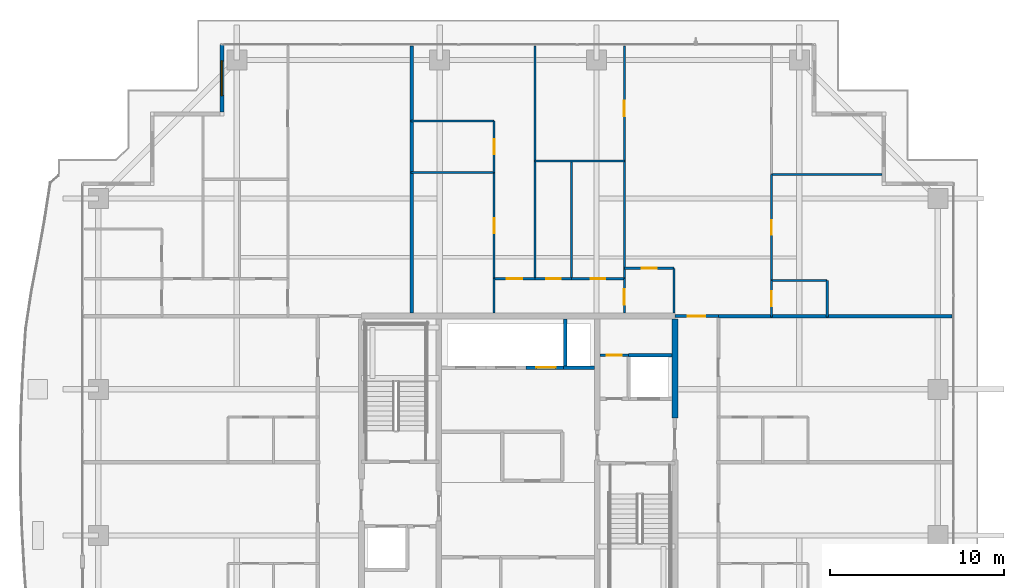
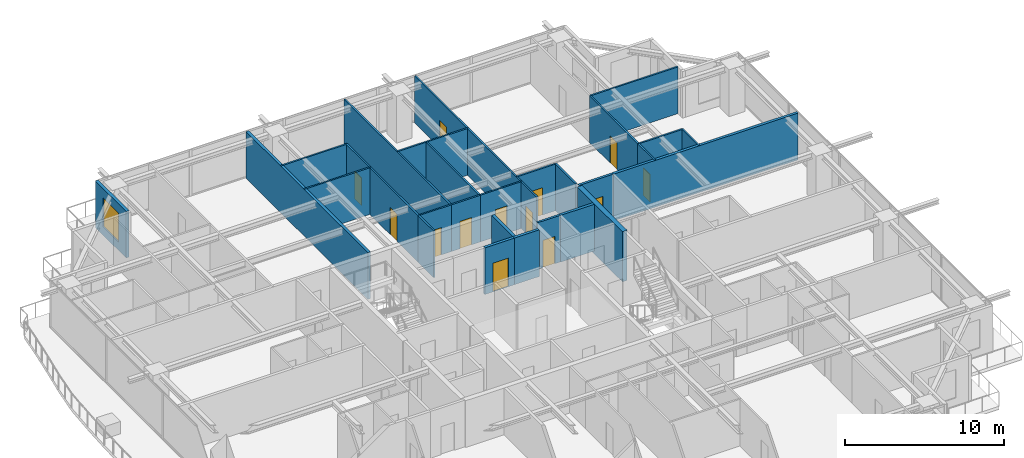
# One storey, part 28 of 38: 31 walls, 13 doors, 1 window, 14 openings.
"""IFC4 building model written with IfcOpenShell, lengths in metres."""

from ifc_helpers import new_model, si_unit, direction, frame, frame_2d, origin, place, context, subcontext, project, spatial, rectangle, extrude, source, transform, mapped, material, layer, layer_set, type_object, element, fill, save


model = new_model("IFC4")

# Units and contexts
model_context = context("Model", 3, precision=1e-05, world=origin(), true_north=direction((0.0, 1.0)))
body_context = subcontext(model_context, "Body", "Model", "MODEL_VIEW")
ifc_project = project(units=[si_unit("LENGTHUNIT", "METRE"), si_unit("AREAUNIT", "SQUARE_METRE"), si_unit("VOLUMEUNIT", "CUBIC_METRE"), si_unit("PLANEANGLEUNIT", "RADIAN"), si_unit("MASSUNIT", "GRAM", prefix="KILO")], contexts=[model_context])

# Site, building, storey
site_placement = place(None, origin())
site = spatial("IfcSite", under=ifc_project, at=site_placement, CompositionType="ELEMENT")
building_placement = place(site_placement, origin())
building = spatial("IfcBuilding", under=site, at=building_placement, Name="Serunith Strait Residences", CompositionType="ELEMENT")
storey_placement = place(building_placement, frame((0.0, 0.0, 241.25)))
storey = spatial("IfcBuildingStorey", under=building, at=storey_placement, Name="L60", CompositionType="ELEMENT", Elevation=241.25)

# Wall, opening, window
ifc_material_1 = material(Name="Pale-Champagne Aluminium Insulated Panel", Category="aluminium")
ifc_layer_1 = layer(ifc_material_1, 0.219970703125, Name="Pale-Champagne Aluminium Insulated Panel")
ifc_layer_set_1 = layer_set([ifc_layer_1], Name="Pale-Champagne Aluminium Insulated Panel")
wall_type_1 = type_object("IfcWallType", Name="EW-ALUM-220", PredefinedType="ELEMENTEDWALL", material=ifc_layer_set_1)
wall_1_placement = place(storey_placement, frame((15.39990234375, 49.199951171875, 0.0), z_axis=(0.0, 0.0, 1.0), x_axis=(0.0, -1.0, 0.0)))
wall_1 = element("IfcWall", 1, at=wall_1_placement, inside=storey, type_object=wall_type_1, Name="L60 Girih Serrated Corner Wall 12", PredefinedType="ELEMENTEDWALL", context=body_context, shape_type="SweptSolid", body=[
    extrude(rectangle(XDim=3.889892578125, YDim=0.219970703125, at=frame_2d((1.94482421875, 0.0))), origin(), (0.0, 0.0, 1.0), 3.574951171875),
])
opening_1_placement = place(wall_1_placement, frame((0.945068359375, 0.0, 0.64990234375)))
opening_1 = element("IfcOpeningElement", 2, at=opening_1_placement, cuts=wall_1, Name="Opening W-04", PredefinedType="OPENING", context=body_context, shape_type="SweptSolid", body=[
    extrude(rectangle(XDim=2.0, YDim=2.199951171875, at=frame_2d((1.0, 1.10009765625))), frame((0.0, 0.1201171875, 0.0), z_axis=(0.0, -1.0, 0.0), x_axis=(1.0, 0.0, 0.0)), (0.0, 0.0, 1.0), 0.239990234375),
])
ifc_material_2 = material(Name="Ceramic-Fritted Operable Aluminium Window Glass", Category="aluminium")
window_type = type_object("IfcWindowType", Name="WIN-C4", PartitioningType="TRIPLE_PANEL_VERTICAL", PredefinedType="WINDOW", material=ifc_material_2)
shared_shape_1 = source(origin(), body_context, "Body", "SweptSolid", [
    extrude(rectangle(XDim=2.0, YDim=2.199951171875, at=frame_2d((1.0, 1.10009765625))), frame((0.0, 0.030029296875, 0.0), z_axis=(0.0, -1.0, 0.0), x_axis=(1.0, 0.0, 0.0)), (0.0, 0.0, 1.0), 0.06005859375),
])
window_placement = place(opening_1_placement, origin())
window = element("IfcWindow", 3, at=window_placement, inside=storey, type_object=window_type, Name="L60 Corner Operable Fritted Window 12", OverallHeight=2.199951171875, OverallWidth=2.0, PartitioningType="SINGLE_PANEL", PredefinedType="WINDOW", context=body_context, shape_type="MappedRepresentation", body=[
    mapped(shared_shape_1, transform((0.0, 0.0, 0.0), scale=1.0)),
])
fill(opening_1, window)

# Wall, opening, door
ifc_material_3 = material(Name="Fire-rated masonry service closet wall", Category="masonry")
ifc_layer_2 = layer(ifc_material_3, 0.14990234375, Name="Fire-rated masonry service closet wall")
ifc_layer_set_2 = layer_set([ifc_layer_2], Name="Fire-rated masonry service closet wall")
wall_type_2 = type_object("IfcWallType", Name="IW-BOH-150", PredefinedType="PARTITIONING", material=ifc_layer_set_2)
wall_2_placement = place(storey_placement, frame((37.10009765625, 31.35009765625, 0.0), z_axis=(0.0, 0.0, 1.0), x_axis=(1.0, 0.0, 0.0)))
wall_2 = element("IfcWall", 4, at=wall_2_placement, inside=storey, type_object=wall_type_2, Name="L60 Partition Wall 011", PredefinedType="PARTITIONING", context=body_context, shape_type="SweptSolid", body=[
    extrude(rectangle(XDim=1.64794921875, YDim=0.14990234375, at=frame_2d((0.823974609375, 0.0))), origin(), (0.0, 0.0, 1.0), 3.590087890625),
])
opening_2_placement = place(wall_2_placement, frame((0.39892578125, 0.0, 0.0)))
opening_2 = element("IfcOpeningElement", 5, at=opening_2_placement, cuts=wall_2, Name="Opening FD-850", PredefinedType="OPENING", context=body_context, shape_type="SweptSolid", body=[
    extrude(rectangle(XDim=0.85009765625, YDim=2.10009765625, at=frame_2d((0.425048828125, 1.050048828125))), frame((0.0, 0.0849609375, 0.0), z_axis=(0.0, -1.0, 0.0), x_axis=(1.0, 0.0, 0.0)), (0.0, 0.0, 1.0), 0.169921875),
])
ifc_material_4 = material(Name="Powder-coated steel service closet door", Category="steel")
door_type_1 = type_object("IfcDoorType", Name="FD-BOH-850", OperationType="NOTDEFINED", PredefinedType="DOOR", material=ifc_material_4)
shared_shape_2 = source(origin(), body_context, "Body", "SweptSolid", [
    extrude(rectangle(XDim=0.85009765625, YDim=2.10009765625, at=frame_2d((0.425048828125, 1.050048828125))), frame((0.0, 0.02490234375, 0.0), z_axis=(0.0, -1.0, 0.0), x_axis=(1.0, 0.0, 0.0)), (0.0, 0.0, 1.0), 0.050048828125),
])
door_1_placement = place(opening_2_placement, origin())
door_1 = element("IfcDoor", 6, at=door_1_placement, inside=storey, type_object=door_type_1, Name="L60 Spare Parts Store Door", OperationType="SINGLE_SWING_LEFT", OverallHeight=2.10009765625, OverallWidth=0.85009765625, PredefinedType="DOOR", context=body_context, shape_type="MappedRepresentation", body=[
    mapped(shared_shape_2, transform((0.0, 0.0, 0.0), scale=1.0)),
])
fill(opening_2, door_1)

ifc_material_5 = material(Name="Fire-rated acoustic gypsum partition")
ifc_layer_3 = layer(ifc_material_5, 0.179931640625, Name="Fire-rated acoustic gypsum partition")
ifc_layer_set_3 = layer_set([ifc_layer_3], Name="Fire-rated acoustic gypsum partition")
wall_type_3 = type_object("IfcWallType", Name="IW-CORR-180", PredefinedType="PARTITIONING", material=ifc_layer_set_3)
wall_3_placement = place(storey_placement, frame((41.402099609375, 33.60009765625, 0.0), z_axis=(0.0, 0.0, 1.0), x_axis=(1.0, 0.0, 0.0)))
wall_3 = element("IfcWall", 7, at=wall_3_placement, inside=storey, type_object=wall_type_3, Name="L60 Partition Wall 031", PredefinedType="PARTITIONING", context=body_context, shape_type="SweptSolid", body=[
    extrude(rectangle(XDim=2.495849609375, YDim=0.179931640625, at=frame_2d((1.248046875, 0.0))), origin(), (0.0, 0.0, 1.0), 3.590087890625),
])
opening_3_placement = place(wall_3_placement, frame((0.748046875, 0.0, 0.0)))
opening_3 = element("IfcOpeningElement", 8, at=opening_3_placement, cuts=wall_3, Name="Opening D-APT1000", PredefinedType="OPENING", context=body_context, shape_type="SweptSolid", body=[
    extrude(rectangle(XDim=1.0, YDim=2.14990234375, at=frame_2d((0.5, 1.074951171875))), frame((0.0, 0.10009765625, 0.0), z_axis=(0.0, -1.0, 0.0), x_axis=(1.0, 0.0, 0.0)), (0.0, 0.0, 1.0), 0.199951171875),
])
ifc_material_6 = material(Name="Solid timber engineered fire door", Category="wood")
door_type_2 = type_object("IfcDoorType", Name="ID-APT-1000", OperationType="NOTDEFINED", PredefinedType="DOOR", material=ifc_material_6)
shared_shape_3 = source(origin(), body_context, "Body", "SweptSolid", [
    extrude(rectangle(XDim=1.0, YDim=2.14990234375, at=frame_2d((0.5, 1.074951171875))), frame((0.0, 0.02490234375, 0.0), z_axis=(0.0, -1.0, 0.0), x_axis=(1.0, 0.0, 0.0)), (0.0, 0.0, 1.0), 0.050048828125),
])
door_2_placement = place(opening_3_placement, origin())
door_2 = element("IfcDoor", 9, at=door_2_placement, inside=storey, type_object=door_type_2, Name="L60 Unit 04 Entrance Door", OperationType="SINGLE_SWING_RIGHT", OverallHeight=2.14990234375, OverallWidth=1.0, PredefinedType="DOOR", context=body_context, shape_type="MappedRepresentation", body=[
    mapped(shared_shape_3, transform((0.0, 0.0, 0.0), scale=1.0)),
])
fill(opening_3, door_2)

ifc_material_7 = material(Name="Lightweight steel-stud gypsum partition", Category="steel")
ifc_layer_4 = layer(ifc_material_7, 0.1201171875, Name="Lightweight steel-stud gypsum partition")
ifc_layer_set_4 = layer_set([ifc_layer_4], Name="Lightweight steel-stud gypsum partition")
wall_type_4 = type_object("IfcWallType", Name="IW-PART-120", PredefinedType="PARTITIONING", material=ifc_layer_set_4)
wall_4_placement = place(storey_placement, frame((38.5, 36.35009765625, 0.0), z_axis=(0.0, 0.0, 1.0), x_axis=(1.0, 0.0, 0.0)))
wall_4 = element("IfcWall", 10, at=wall_4_placement, inside=storey, type_object=wall_type_4, Name="L60 Partition Wall 081", PredefinedType="PARTITIONING", context=body_context, shape_type="SweptSolid", body=[
    extrude(rectangle(XDim=2.85009765625, YDim=0.1201171875, at=frame_2d((1.425048828125, 0.0))), origin(), (0.0, 0.0, 1.0), 3.590087890625),
])
opening_4_placement = place(wall_4_placement, frame((1.0, 0.0, 0.0)))
opening_4 = element("IfcOpeningElement", 11, at=opening_4_placement, cuts=wall_4, Name="Opening D-RM850", PredefinedType="OPENING", context=body_context, shape_type="SweptSolid", body=[
    extrude(rectangle(XDim=0.85009765625, YDim=2.10009765625, at=frame_2d((0.425048828125, 1.050048828125))), frame((0.0, 0.070068359375, 0.0), z_axis=(0.0, -1.0, 0.0), x_axis=(1.0, 0.0, 0.0)), (0.0, 0.0, 1.0), 0.14013671875),
])
ifc_material_8 = material(Name="Engineered timber flush study and kitchen door", Category="wood")
door_type_3 = type_object("IfcDoorType", Name="ID-ROOM-850", OperationType="NOTDEFINED", PredefinedType="DOOR", material=ifc_material_8)
door_3_placement = place(opening_4_placement, origin())
door_3 = element("IfcDoor", 12, at=door_3_placement, inside=storey, type_object=door_type_3, Name="L60 Kitchen 6004 Door", OperationType="SINGLE_SWING_RIGHT", OverallHeight=2.10009765625, OverallWidth=0.85009765625, PredefinedType="DOOR", context=body_context, shape_type="MappedRepresentation", body=[
    mapped(shared_shape_2, transform((0.0, 0.0, 0.0), scale=1.0)),
])
fill(opening_4, door_3)

# Wall
wall_5_placement = place(storey_placement, frame((41.35009765625, 36.35009765625, 0.0), z_axis=(0.0, 0.0, 1.0), x_axis=(0.0, -1.0, 0.0)))
element("IfcWall", 13, at=wall_5_placement, inside=storey, type_object=wall_type_4, Name="L60 Partition Wall 082", PredefinedType="PARTITIONING", context=body_context, shape_type="SweptSolid", body=[
    extrude(rectangle(XDim=2.5751953125, YDim=0.1201171875, at=frame_2d((1.28759765625, 0.0))), origin(), (0.0, 0.0, 1.0), 3.590087890625),
])

# Wall, opening, door
wall_6_placement = place(storey_placement, frame((38.5, 35.75, 0.0), z_axis=(0.0, 0.0, 1.0), x_axis=(0.0, -1.0, 0.0)))
wall_6 = element("IfcWall", 14, at=wall_6_placement, inside=storey, type_object=wall_type_4, Name="L60 Partition Wall 083", PredefinedType="PARTITIONING", context=body_context, shape_type="SweptSolid", body=[
    extrude(rectangle(XDim=1.97509765625, YDim=0.1201171875, at=frame_2d((0.987548828125, 0.0))), origin(), (0.0, 0.0, 1.0), 3.590087890625),
])
opening_5_placement = place(wall_6_placement, frame((0.60107421875, 0.0, 0.0)))
opening_5 = element("IfcOpeningElement", 15, at=opening_5_placement, cuts=wall_6, Name="Opening D-RM900", PredefinedType="OPENING", context=body_context, shape_type="SweptSolid", body=[
    extrude(rectangle(XDim=0.89990234375, YDim=2.10009765625, at=frame_2d((0.449951171875, 1.050048828125))), frame((0.0, 0.070068359375, 0.0), z_axis=(0.0, -1.0, 0.0), x_axis=(1.0, 0.0, 0.0)), (0.0, 0.0, 1.0), 0.14013671875),
])
ifc_material_9 = material(Name="Engineered timber flush bedroom door", Category="wood")
door_type_4 = type_object("IfcDoorType", Name="ID-ROOM-900", OperationType="NOTDEFINED", PredefinedType="DOOR", material=ifc_material_9)
shared_shape_4 = source(origin(), body_context, "Body", "SweptSolid", [
    extrude(rectangle(XDim=0.89990234375, YDim=2.10009765625, at=frame_2d((0.449951171875, 1.050048828125))), frame((0.0, 0.02490234375, 0.0), z_axis=(0.0, -1.0, 0.0), x_axis=(1.0, 0.0, 0.0)), (0.0, 0.0, 1.0), 0.050048828125),
])
door_4_placement = place(opening_5_placement, origin())
door_4 = element("IfcDoor", 16, at=door_4_placement, inside=storey, type_object=door_type_4, Name="L60 Hall W 6004 Door", OperationType="SINGLE_SWING_LEFT", OverallHeight=2.10009765625, OverallWidth=0.89990234375, PredefinedType="DOOR", context=body_context, shape_type="MappedRepresentation", body=[
    mapped(shared_shape_4, transform((0.0, 0.0, 0.0), scale=1.0)),
])
fill(opening_5, door_4)

wall_7_placement = place(storey_placement, frame((38.5, 49.10498046875, 0.0), z_axis=(0.0, 0.0, 1.0), x_axis=(0.0, -1.0, 0.0)))
wall_7 = element("IfcWall", 17, at=wall_7_placement, inside=storey, type_object=wall_type_4, Name="L60 Partition Wall 084", PredefinedType="PARTITIONING", context=body_context, shape_type="SweptSolid", body=[
    extrude(rectangle(XDim=6.60400390625, YDim=0.1201171875, at=frame_2d((3.302001953125, 0.0))), origin(), (0.0, 0.0, 1.0), 3.590087890625),
])
opening_6_placement = place(wall_7_placement, frame((3.136962890625, 0.0, 0.0)))
opening_6 = element("IfcOpeningElement", 18, at=opening_6_placement, cuts=wall_7, Name="Opening D-RM900", PredefinedType="OPENING", context=body_context, shape_type="SweptSolid", body=[
    extrude(rectangle(XDim=0.89990234375, YDim=2.10009765625, at=frame_2d((0.449951171875, 1.050048828125))), frame((0.0, 0.070068359375, 0.0), z_axis=(0.0, -1.0, 0.0), x_axis=(1.0, 0.0, 0.0)), (0.0, 0.0, 1.0), 0.14013671875),
])
door_5_placement = place(opening_6_placement, origin())
door_5 = element("IfcDoor", 19, at=door_5_placement, inside=storey, type_object=door_type_4, Name="L60 Formal Dining Room 1 6004 Door", OperationType="SINGLE_SWING_RIGHT", OverallHeight=2.10009765625, OverallWidth=0.89990234375, PredefinedType="DOOR", context=body_context, shape_type="MappedRepresentation", body=[
    mapped(shared_shape_4, transform((0.0, 0.0, 0.0), scale=1.0)),
])
fill(opening_6, door_5)

# Walls
wall_8_placement = place(storey_placement, frame((38.5, 42.4990234375, 0.0), z_axis=(0.0, 0.0, 1.0), x_axis=(0.0, -1.0, 0.0)))
element("IfcWall", 20, at=wall_8_placement, inside=storey, type_object=wall_type_4, Name="L60 Partition Wall 085", PredefinedType="PARTITIONING", context=body_context, shape_type="SweptSolid", body=[
    extrude(rectangle(XDim=6.7470703125, YDim=0.1201171875, at=frame_2d((3.37353515625, 0.0))), origin(), (0.0, 0.0, 1.0), 3.590087890625),
])
wall_9_placement = place(storey_placement, frame((33.3798828125, 42.5009765625, 0.0), z_axis=(0.0, 0.0, 1.0), x_axis=(1.0, 0.0, 0.0)))
element("IfcWall", 21, at=wall_9_placement, inside=storey, type_object=wall_type_4, Name="L60 Partition Wall 086", PredefinedType="PARTITIONING", context=body_context, shape_type="SweptSolid", body=[
    extrude(rectangle(XDim=5.1201171875, YDim=0.1201171875, at=frame_2d((2.56005859375, 0.0))), origin(), (0.0, 0.0, 1.0), 3.590087890625),
])
wall_10_placement = place(storey_placement, frame((33.3798828125, 49.10498046875, 0.0), z_axis=(0.0, 0.0, 1.0), x_axis=(0.0, -1.0, 0.0)))
element("IfcWall", 22, at=wall_10_placement, inside=storey, type_object=wall_type_4, Name="L60 Partition Wall 087", PredefinedType="PARTITIONING", context=body_context, shape_type="SweptSolid", body=[
    extrude(rectangle(XDim=13.35498046875, YDim=0.1201171875, at=frame_2d((6.677490234375, 0.0))), origin(), (0.0, 0.0, 1.0), 3.590087890625),
])
wall_11_placement = place(storey_placement, frame((35.47998046875, 42.5009765625, 0.0), z_axis=(0.0, 0.0, 1.0), x_axis=(0.0, -1.0, 0.0)))
element("IfcWall", 23, at=wall_11_placement, inside=storey, type_object=wall_type_4, Name="L60 Partition Wall 088", PredefinedType="PARTITIONING", context=body_context, shape_type="SweptSolid", body=[
    extrude(rectangle(XDim=6.7509765625, YDim=0.1201171875, at=frame_2d((3.37548828125, 0.0))), origin(), (0.0, 0.0, 1.0), 3.590087890625),
])

# Wall, opening, door
wall_12_placement = place(storey_placement, frame((33.3798828125, 35.75, 0.0), z_axis=(0.0, 0.0, 1.0), x_axis=(1.0, 0.0, 0.0)))
wall_12 = element("IfcWall", 24, at=wall_12_placement, inside=storey, type_object=wall_type_4, Name="L60 Partition Wall 089", PredefinedType="PARTITIONING", context=body_context, shape_type="SweptSolid", body=[
    extrude(rectangle(XDim=2.10009765625, YDim=0.1201171875, at=frame_2d((1.050048828125, 0.0))), origin(), (0.0, 0.0, 1.0), 3.590087890625),
])
opening_7_placement = place(wall_12_placement, frame((0.625, 0.0, 0.0)))
opening_7 = element("IfcOpeningElement", 25, at=opening_7_placement, cuts=wall_12, Name="Opening D-BTH850", PredefinedType="OPENING", context=body_context, shape_type="SweptSolid", body=[
    extrude(rectangle(XDim=0.85009765625, YDim=2.10009765625, at=frame_2d((0.425048828125, 1.050048828125))), frame((0.0, 0.070068359375, 0.0), z_axis=(0.0, -1.0, 0.0), x_axis=(1.0, 0.0, 0.0)), (0.0, 0.0, 1.0), 0.14013671875),
])
ifc_material_10 = material(Name="Moisture-resistant timber bathroom door", Category="wood")
door_type_5 = type_object("IfcDoorType", Name="ID-BATH-850", OperationType="NOTDEFINED", PredefinedType="DOOR", material=ifc_material_10)
door_6_placement = place(opening_7_placement, origin())
door_6 = element("IfcDoor", 26, at=door_6_placement, inside=storey, type_object=door_type_5, Name="L60 Bathroom 6004 Door", OperationType="SINGLE_SWING_LEFT", OverallHeight=2.10009765625, OverallWidth=0.85009765625, PredefinedType="DOOR", context=body_context, shape_type="MappedRepresentation", body=[
    mapped(shared_shape_2, transform((0.0, 0.0, 0.0), scale=1.0)),
])
fill(opening_7, door_6)

wall_13_placement = place(storey_placement, frame((35.48193359375, 35.75, 0.0), z_axis=(0.0, 0.0, 1.0), x_axis=(1.0, 0.0, 0.0)))
wall_13 = element("IfcWall", 27, at=wall_13_placement, inside=storey, type_object=wall_type_4, Name="L60 Partition Wall 090", PredefinedType="PARTITIONING", context=body_context, shape_type="SweptSolid", body=[
    extrude(rectangle(XDim=3.01806640625, YDim=0.1201171875, at=frame_2d((1.509033203125, 0.0))), origin(), (0.0, 0.0, 1.0), 3.590087890625),
])
opening_8_placement = place(wall_13_placement, frame((1.083984375, 0.0, 0.0)))
opening_8 = element("IfcOpeningElement", 28, at=opening_8_placement, cuts=wall_13, Name="Opening D-RM850", PredefinedType="OPENING", context=body_context, shape_type="SweptSolid", body=[
    extrude(rectangle(XDim=0.85009765625, YDim=2.10009765625, at=frame_2d((0.425048828125, 1.050048828125))), frame((0.0, 0.070068359375, 0.0), z_axis=(0.0, -1.0, 0.0), x_axis=(1.0, 0.0, 0.0)), (0.0, 0.0, 1.0), 0.14013671875),
])
door_7_placement = place(opening_8_placement, origin())
door_7 = element("IfcDoor", 29, at=door_7_placement, inside=storey, type_object=door_type_3, Name="L60 Formal Dining Room 6004 Door", OperationType="SINGLE_SWING_RIGHT", OverallHeight=2.10009765625, OverallWidth=0.85009765625, PredefinedType="DOOR", context=body_context, shape_type="MappedRepresentation", body=[
    mapped(shared_shape_2, transform((0.0, 0.0, 0.0), scale=1.0)),
])
fill(opening_8, door_7)

wall_14_placement = place(storey_placement, frame((31.030029296875, 35.75, 0.0), z_axis=(0.0, 0.0, 1.0), x_axis=(1.0, 0.0, 0.0)))
wall_14 = element("IfcWall", 30, at=wall_14_placement, inside=storey, type_object=wall_type_4, Name="L60 Partition Wall 091", PredefinedType="PARTITIONING", context=body_context, shape_type="SweptSolid", body=[
    extrude(rectangle(XDim=2.347900390625, YDim=0.1201171875, at=frame_2d((1.173828125, 0.0))), origin(), (0.0, 0.0, 1.0), 3.590087890625),
])
opening_9_placement = place(wall_14_placement, frame((0.72412109375, 0.0, 0.0)))
opening_9 = element("IfcOpeningElement", 31, at=opening_9_placement, cuts=wall_14, Name="Opening D-RM900", PredefinedType="OPENING", context=body_context, shape_type="SweptSolid", body=[
    extrude(rectangle(XDim=0.89990234375, YDim=2.10009765625, at=frame_2d((0.449951171875, 1.050048828125))), frame((0.0, 0.070068359375, 0.0), z_axis=(0.0, -1.0, 0.0), x_axis=(1.0, 0.0, 0.0)), (0.0, 0.0, 1.0), 0.14013671875),
])
door_8_placement = place(opening_9_placement, origin())
door_8 = element("IfcDoor", 32, at=door_8_placement, inside=storey, type_object=door_type_4, Name="L60 Master Bedroom W 6004 Door", OperationType="SINGLE_SWING_LEFT", OverallHeight=2.10009765625, OverallWidth=0.89990234375, PredefinedType="DOOR", context=body_context, shape_type="MappedRepresentation", body=[
    mapped(shared_shape_4, transform((0.0, 0.0, 0.0), scale=1.0)),
])
fill(opening_9, door_8)

# Walls
for number, where, z_axis, x_axis, name in (
    (33, (26.239990234375, 44.804931640625, 0.0), (0.0, 0.0, 1.0), (1.0, 0.0, 0.0), "L60 Partition Wall 092"),
    (34, (26.239990234375, 41.844970703125, 0.0), (0.0, 0.0, 1.0), (1.0, 0.0, 0.0), "L60 Partition Wall 093"),
):
    element("IfcWall", number, at=place(storey_placement, frame(where, z_axis=z_axis, x_axis=x_axis)), inside=storey, type_object=wall_type_4, Name=name, PredefinedType="PARTITIONING", context=body_context, shape_type="SweptSolid", body=[
        extrude(rectangle(XDim=4.7900390625, YDim=0.1201171875, at=frame_2d((2.39501953125, 0.0))), origin(), (0.0, 0.0, 1.0), 3.590087890625),
    ])

# Wall, opening, door
wall_15_placement = place(storey_placement, frame((31.030029296875, 44.804931640625, 0.0), z_axis=(0.0, 0.0, 1.0), x_axis=(0.0, -1.0, 0.0)))
wall_15 = element("IfcWall", 35, at=wall_15_placement, inside=storey, type_object=wall_type_4, Name="L60 Partition Wall 094", PredefinedType="PARTITIONING", context=body_context, shape_type="SweptSolid", body=[
    extrude(rectangle(XDim=2.9599609375, YDim=0.1201171875, at=frame_2d((1.47998046875, 0.0))), origin(), (0.0, 0.0, 1.0), 3.590087890625),
])
opening_10_placement = place(wall_15_placement, frame((1.054931640625, 0.0, 0.0)))
opening_10 = element("IfcOpeningElement", 36, at=opening_10_placement, cuts=wall_15, Name="Opening D-BTH850", PredefinedType="OPENING", context=body_context, shape_type="SweptSolid", body=[
    extrude(rectangle(XDim=0.85009765625, YDim=2.10009765625, at=frame_2d((0.425048828125, 1.050048828125))), frame((0.0, 0.070068359375, 0.0), z_axis=(0.0, -1.0, 0.0), x_axis=(1.0, 0.0, 0.0)), (0.0, 0.0, 1.0), 0.14013671875),
])
door_9_placement = place(opening_10_placement, origin())
door_9 = element("IfcDoor", 37, at=door_9_placement, inside=storey, type_object=door_type_5, Name="L60 En-suite Bathroom W 6004 Door", OperationType="SINGLE_SWING_RIGHT", OverallHeight=2.10009765625, OverallWidth=0.85009765625, PredefinedType="DOOR", context=body_context, shape_type="MappedRepresentation", body=[
    mapped(shared_shape_2, transform((0.0, 0.0, 0.0), scale=1.0)),
])
fill(opening_10, door_9)

wall_16_placement = place(storey_placement, frame((31.030029296875, 41.843017578125, 0.0), z_axis=(0.0, 0.0, 1.0), x_axis=(0.0, -1.0, 0.0)))
wall_16 = element("IfcWall", 38, at=wall_16_placement, inside=storey, type_object=wall_type_4, Name="L60 Partition Wall 095", PredefinedType="PARTITIONING", context=body_context, shape_type="SweptSolid", body=[
    extrude(rectangle(XDim=6.093017578125, YDim=0.1201171875, at=frame_2d((3.04638671875, 0.0))), origin(), (0.0, 0.0, 1.0), 3.590087890625),
])
opening_11_placement = place(wall_16_placement, frame((2.6220703125, 0.0, 0.0)))
opening_11 = element("IfcOpeningElement", 39, at=opening_11_placement, cuts=wall_16, Name="Opening D-RM850", PredefinedType="OPENING", context=body_context, shape_type="SweptSolid", body=[
    extrude(rectangle(XDim=0.85009765625, YDim=2.10009765625, at=frame_2d((0.425048828125, 1.050048828125))), frame((0.0, 0.070068359375, 0.0), z_axis=(0.0, -1.0, 0.0), x_axis=(1.0, 0.0, 0.0)), (0.0, 0.0, 1.0), 0.14013671875),
])
door_10_placement = place(opening_11_placement, origin())
door_10 = element("IfcDoor", 40, at=door_10_placement, inside=storey, type_object=door_type_3, Name="L60 Wardrobe W 6004 Door", OperationType="SINGLE_SWING_LEFT", OverallHeight=2.10009765625, OverallWidth=0.85009765625, PredefinedType="DOOR", context=body_context, shape_type="MappedRepresentation", body=[
    mapped(shared_shape_2, transform((0.0, 0.0, 0.0), scale=1.0)),
])
fill(opening_11, door_10)

# Walls
wall_17_placement = place(storey_placement, frame((31.030029296875, 35.748046875, 0.0), z_axis=(0.0, 0.0, 1.0), x_axis=(0.0, -1.0, 0.0)))
element("IfcWall", 41, at=wall_17_placement, inside=storey, type_object=wall_type_4, Name="L60 Partition Wall 096", PredefinedType="PARTITIONING", context=body_context, shape_type="SweptSolid", body=[
    extrude(rectangle(XDim=1.97314453125, YDim=0.1201171875, at=frame_2d((0.986572265625, 0.0))), origin(), (0.0, 0.0, 1.0), 3.590087890625),
])
wall_18_placement = place(storey_placement, frame((46.949951171875, 41.73193359375, 0.0), z_axis=(0.0, 0.0, 1.0), x_axis=(1.0, 0.0, 0.0)))
element("IfcWall", 42, at=wall_18_placement, inside=storey, type_object=wall_type_4, Name="L60 Partition Wall 098", PredefinedType="PARTITIONING", context=body_context, shape_type="SweptSolid", body=[
    extrude(rectangle(XDim=6.35498046875, YDim=0.1201171875, at=frame_2d((3.177490234375, 0.0))), origin(), (0.0, 0.0, 1.0), 3.590087890625),
])
wall_19_placement = place(storey_placement, frame((46.949951171875, 35.64990234375, 0.0), z_axis=(0.0, 0.0, 1.0), x_axis=(1.0, 0.0, 0.0)))
element("IfcWall", 43, at=wall_19_placement, inside=storey, type_object=wall_type_4, Name="L60 Partition Wall 099", PredefinedType="PARTITIONING", context=body_context, shape_type="SweptSolid", body=[
    extrude(rectangle(XDim=3.199951171875, YDim=0.1201171875, at=frame_2d((1.60009765625, 0.0))), origin(), (0.0, 0.0, 1.0), 3.590087890625),
])
wall_20_placement = place(storey_placement, frame((50.14990234375, 35.64990234375, 0.0), z_axis=(0.0, 0.0, 1.0), x_axis=(0.0, -1.0, 0.0)))
element("IfcWall", 44, at=wall_20_placement, inside=storey, type_object=wall_type_4, Name="L60 Partition Wall 100", PredefinedType="PARTITIONING", context=body_context, shape_type="SweptSolid", body=[
    extrude(rectangle(XDim=2.10986328125, YDim=0.1201171875, at=frame_2d((1.054931640625, 0.0))), origin(), (0.0, 0.0, 1.0), 3.590087890625),
])

# Wall, opening, door
wall_21_placement = place(storey_placement, frame((46.949951171875, 41.72998046875, 0.0), z_axis=(0.0, 0.0, 1.0), x_axis=(0.0, -1.0, 0.0)))
wall_21 = element("IfcWall", 45, at=wall_21_placement, inside=storey, type_object=wall_type_4, Name="L60 Partition Wall 101", PredefinedType="PARTITIONING", context=body_context, shape_type="SweptSolid", body=[
    extrude(rectangle(XDim=6.080078125, YDim=0.1201171875, at=frame_2d((3.0400390625, 0.0))), origin(), (0.0, 0.0, 1.0), 3.590087890625),
])
opening_12_placement = place(wall_21_placement, frame((2.614990234375, 0.0, 0.0)))
opening_12 = element("IfcOpeningElement", 46, at=opening_12_placement, cuts=wall_21, Name="Opening D-RM850", PredefinedType="OPENING", context=body_context, shape_type="SweptSolid", body=[
    extrude(rectangle(XDim=0.85009765625, YDim=2.10009765625, at=frame_2d((0.425048828125, 1.050048828125))), frame((0.0, 0.070068359375, 0.0), z_axis=(0.0, -1.0, 0.0), x_axis=(1.0, 0.0, 0.0)), (0.0, 0.0, 1.0), 0.14013671875),
])
door_11_placement = place(opening_12_placement, origin())
door_11 = element("IfcDoor", 47, at=door_11_placement, inside=storey, type_object=door_type_3, Name="L60 Walk-in Wardrobe 6004 Door", OperationType="SINGLE_SWING_LEFT", OverallHeight=2.10009765625, OverallWidth=0.85009765625, PredefinedType="DOOR", context=body_context, shape_type="MappedRepresentation", body=[
    mapped(shared_shape_2, transform((0.0, 0.0, 0.0), scale=1.0)),
])
fill(opening_12, door_11)

wall_22_placement = place(storey_placement, frame((46.949951171875, 35.64794921875, 0.0), z_axis=(0.0, 0.0, 1.0), x_axis=(0.0, -1.0, 0.0)))
wall_22 = element("IfcWall", 48, at=wall_22_placement, inside=storey, type_object=wall_type_4, Name="L60 Partition Wall 102", PredefinedType="PARTITIONING", context=body_context, shape_type="SweptSolid", body=[
    extrude(rectangle(XDim=2.10791015625, YDim=0.1201171875, at=frame_2d((1.053955078125, 0.0))), origin(), (0.0, 0.0, 1.0), 3.590087890625),
])
opening_13_placement = place(wall_22_placement, frame((0.62890625, 0.0, 0.0)))
opening_13 = element("IfcOpeningElement", 49, at=opening_13_placement, cuts=wall_22, Name="Opening D-BTH850", PredefinedType="OPENING", context=body_context, shape_type="SweptSolid", body=[
    extrude(rectangle(XDim=0.85009765625, YDim=2.10009765625, at=frame_2d((0.425048828125, 1.050048828125))), frame((0.0, 0.070068359375, 0.0), z_axis=(0.0, -1.0, 0.0), x_axis=(1.0, 0.0, 0.0)), (0.0, 0.0, 1.0), 0.14013671875),
])
door_12_placement = place(opening_13_placement, origin())
door_12 = element("IfcDoor", 50, at=door_12_placement, inside=storey, type_object=door_type_5, Name="L60 Bathroom 6004 Door", OperationType="SINGLE_SWING_RIGHT", OverallHeight=2.10009765625, OverallWidth=0.85009765625, PredefinedType="DOOR", context=body_context, shape_type="MappedRepresentation", body=[
    mapped(shared_shape_2, transform((0.0, 0.0, 0.0), scale=1.0)),
])
fill(opening_13, door_12)

# Walls
ifc_material_11 = material(Name="Twin-stud acoustic gypsum board partition")
ifc_layer_5 = layer(ifc_material_11, 0.199951171875, Name="Twin-stud acoustic gypsum board partition")
ifc_layer_set_5 = layer_set([ifc_layer_5], Name="Twin-stud acoustic gypsum board partition")
wall_type_5 = type_object("IfcWallType", Name="IW-PARTY-200", PredefinedType="PARTITIONING", material=ifc_layer_set_5)
wall_23_placement = place(storey_placement, frame((26.300048828125, 33.77490234375, 0.0), z_axis=(0.0, 0.0, 1.0), x_axis=(0.0, 1.0, 0.0)))
element("IfcWall", 51, at=wall_23_placement, inside=storey, type_object=wall_type_5, Name="L60 Partition Wall 020", PredefinedType="PARTITIONING", context=body_context, shape_type="SweptSolid", body=[
    extrude(rectangle(XDim=15.343017578125, YDim=0.199951171875, at=frame_2d((7.67138671875, 0.0))), origin(), (0.0, 0.0, 1.0), 3.590087890625),
])
wall_24_placement = place(storey_placement, frame((43.89990234375, 33.60009765625, 0.0), z_axis=(0.0, 0.0, 1.0), x_axis=(1.0, 0.0, 0.0)))
element("IfcWall", 52, at=wall_24_placement, inside=storey, type_object=wall_type_5, Name="L60 Partition Wall 026", PredefinedType="PARTITIONING", context=body_context, shape_type="SweptSolid", body=[
    extrude(rectangle(XDim=13.418212890625, YDim=0.199951171875, at=frame_2d((6.708984375, 0.0))), origin(), (0.0, 0.0, 1.0), 3.590087890625),
])

# Wall, opening, door
ifc_material_12 = material(Name="Autoclaved aerated concrete blockwork", Category="masonry")
ifc_layer_6 = layer(ifc_material_12, 0.199951171875, Name="Autoclaved aerated concrete blockwork")
ifc_layer_set_6 = layer_set([ifc_layer_6], Name="Autoclaved aerated concrete blockwork")
wall_type_6 = type_object("IfcWallType", Name="IW-SHAFT-200", PredefinedType="STANDARD", material=ifc_layer_set_6)
wall_25_placement = place(storey_placement, frame((32.85009765625, 30.64990234375, 0.0), z_axis=(0.0, 0.0, 1.0), x_axis=(1.0, 0.0, 0.0)))
wall_25 = element("IfcWall", 53, at=wall_25_placement, inside=storey, type_object=wall_type_6, Name="L60 PL-9 South Shaft Wall", PredefinedType="STANDARD", context=body_context, shape_type="SweptSolid", body=[
    extrude(rectangle(XDim=2.14990234375, YDim=0.199951171875, at=frame_2d((1.074951171875, 0.0))), origin(), (0.0, 0.0, 1.0), 3.590087890625),
])
opening_14_placement = place(wall_25_placement, frame((0.60009765625, 0.0, 0.0)))
opening_14 = element("IfcOpeningElement", 54, at=opening_14_placement, cuts=wall_25, Name="Opening LD-1100", PredefinedType="OPENING", context=body_context, shape_type="SweptSolid", body=[
    extrude(rectangle(XDim=1.10009765625, YDim=2.199951171875, at=frame_2d((0.550048828125, 1.10009765625))), frame((0.0, 0.10986328125, 0.0), z_axis=(0.0, -1.0, 0.0), x_axis=(1.0, 0.0, 0.0)), (0.0, 0.0, 1.0), 0.219970703125),
])
ifc_material_13 = material(Name="Pale-champagne stainless landing door")
door_type_6 = type_object("IfcDoorType", Name="LD-LIFT-1100", OperationType="DOUBLE_DOOR_SLIDING", PredefinedType="DOOR", material=ifc_material_13)
shared_shape_5 = source(origin(), body_context, "Body", "SweptSolid", [
    extrude(rectangle(XDim=1.10009765625, YDim=2.199951171875, at=frame_2d((0.550048828125, 1.10009765625))), frame((0.0, 0.02490234375, 0.0), z_axis=(0.0, -1.0, 0.0), x_axis=(1.0, 0.0, 0.0)), (0.0, 0.0, 1.0), 0.050048828125),
])
door_13_placement = place(opening_14_placement, origin())
door_13 = element("IfcDoor", 55, at=door_13_placement, inside=storey, type_object=door_type_6, Name="L60 PL-9 Landing Door", OperationType="DOUBLE_DOOR_SLIDING", OverallHeight=2.199951171875, OverallWidth=1.10009765625, PredefinedType="DOOR", context=body_context, shape_type="MappedRepresentation", body=[
    mapped(shared_shape_5, transform((0.0, 0.0, 0.0), scale=1.0)),
])
fill(opening_14, door_13)

# Walls
wall_26_placement = place(storey_placement, frame((35.0, 30.64990234375, 0.0), z_axis=(0.0, 0.0, 1.0), x_axis=(1.0, 0.0, 0.0)))
element("IfcWall", 56, at=wall_26_placement, inside=storey, type_object=wall_type_6, Name="L60 SL-1 South Shaft Wall", PredefinedType="STANDARD", context=body_context, shape_type="SweptSolid", body=[
    extrude(rectangle(XDim=1.800048828125, YDim=0.199951171875, at=frame_2d((0.89990234375, 0.0))), origin(), (0.0, 0.0, 1.0), 3.590087890625),
])
wall_27_placement = place(storey_placement, frame((35.10009765625, 30.75, 0.0), z_axis=(0.0, 0.0, 1.0), x_axis=(0.0, 1.0, 0.0)))
element("IfcWall", 57, at=wall_27_placement, inside=storey, type_object=wall_type_6, Name="L60 SL-1 West Shaft Wall", PredefinedType="STANDARD", context=body_context, shape_type="SweptSolid", body=[
    extrude(rectangle(XDim=2.675048828125, YDim=0.199951171875, at=frame_2d((1.33740234375, 0.0))), origin(), (0.0, 0.0, 1.0), 3.590087890625),
])
wall_28_placement = place(storey_placement, frame((38.75, 31.35009765625, 0.0), z_axis=(0.0, 0.0, 1.0), x_axis=(1.0, 0.0, 0.0)))
element("IfcWall", 58, at=wall_28_placement, inside=storey, type_object=wall_type_6, Name="L60 Partition Wall 005", PredefinedType="STANDARD", context=body_context, shape_type="SweptSolid", body=[
    extrude(rectangle(XDim=2.47509765625, YDim=0.199951171875, at=frame_2d((1.237548828125, 0.0))), origin(), (0.0, 0.0, 1.0), 3.590087890625),
])
ifc_material_14 = material(Name="Concrete C60/75", Category="concrete")
ifc_layer_7 = layer(ifc_material_14, 0.35009765625, Name="Concrete C60/75")
ifc_layer_set_7 = layer_set([ifc_layer_7], Name="Concrete C60/75")
wall_type_7 = type_object("IfcWallType", Name="SW-350-C60", PredefinedType="SHEAR", material=ifc_layer_set_7)
wall_29_placement = place(storey_placement, frame((41.39990234375, 27.75, -0.260009765625), z_axis=(0.0, 0.0, 1.0), x_axis=(0.0, 1.0, 0.0)))
element("IfcWall", 59, at=wall_29_placement, inside=storey, type_object=wall_type_7, Name="L60 Core East Shear Wall North Pier", PredefinedType="SHEAR", context=body_context, shape_type="SweptSolid", body=[
    extrude(rectangle(XDim=5.675048828125, YDim=0.35009765625, at=frame_2d((2.83740234375, 0.0))), origin(), (0.0, 0.0, 1.0), 3.847900390625),
])

save(model, "model.ifc")
